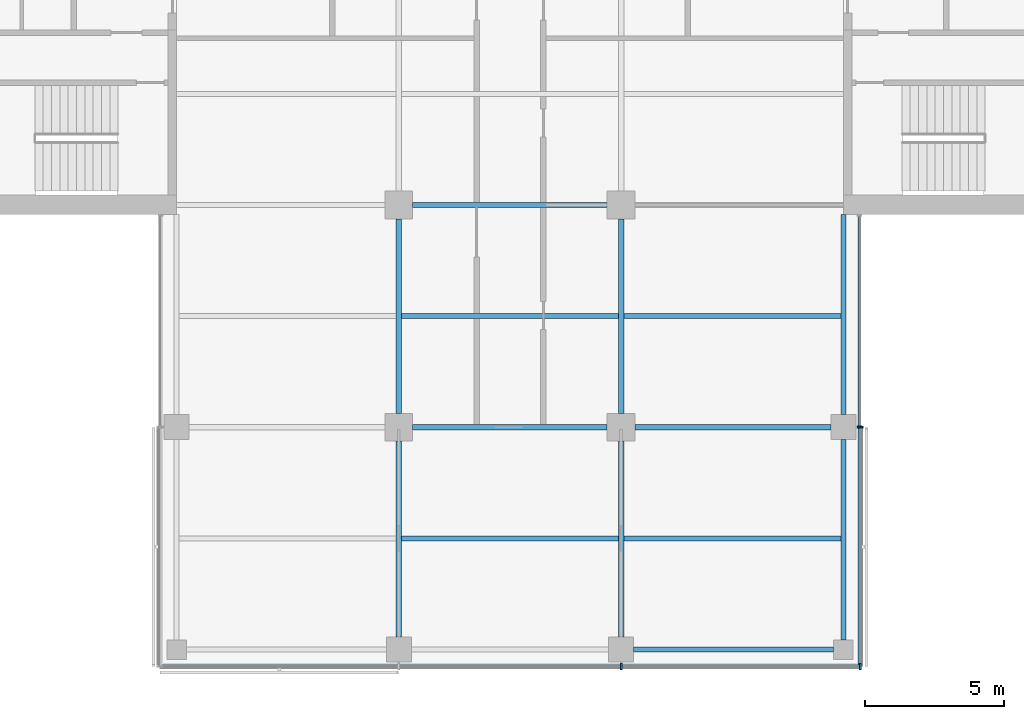
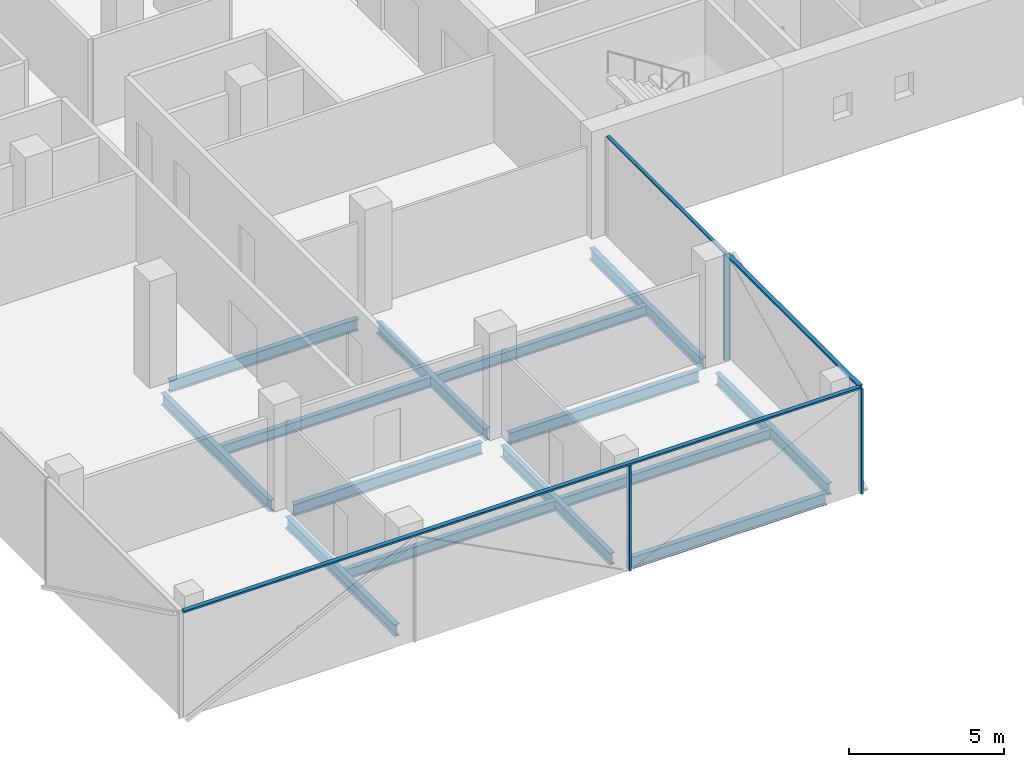
# One storey, part 5 of 22: 14 beams, 7 members, 3 elements without a shape of their own.
"""IFC4 building model written with IfcOpenShell, lengths in metres."""

import ifcopenshell
import ifcopenshell.guid

model = None  # the IFC model being written
_history = None  # IfcOwnerHistory: only IFC2X3 demands one
_inside = {}  # id of a spatial element -> (the spatial element, [elements in it])
_under = {}  # id of a project, library or spatial element -> (it, [spatial elements below it])
_declared = {}  # id of a project -> (the project, [libraries it declares])
_typed = {}  # id of a type object -> (the type object, [elements of that type])
_made_of = {}  # id of a material, layer set ... -> (it, [elements and type objects made of it])


def new_model(schema):
    """Start an empty IFC model of exactly this schema.

    Asked for "IFC4X3", IfcOpenShell would pick the latest addendum, in which some entities
    have other attributes; the version numbers below select the first issue.
    IFC2X3 requires an IfcOwnerHistory on every rooted entity: one is made here for all.
    """
    global model, _history
    if schema == "IFC4X3":
        model = ifcopenshell.file(schema_version=(4, 3, 0, 0))
    else:
        model = ifcopenshell.file(schema=schema)
    _inside.clear()
    _under.clear()
    _declared.clear()
    _typed.clear()
    _made_of.clear()
    _history = None
    if model.schema == "IFC2X3":
        org = make("IfcOrganization", Name="unknown")
        user = make(
            "IfcPersonAndOrganization",
            ThePerson=make("IfcPerson", FamilyName="unknown"),
            TheOrganization=org,
        )
        app = make(
            "IfcApplication",
            ApplicationDeveloper=org,
            Version="unknown",
            ApplicationFullName="unknown",
            ApplicationIdentifier="unknown",
        )
        _history = make(
            "IfcOwnerHistory",
            OwningUser=user,
            OwningApplication=app,
            ChangeAction="ADDED",
            CreationDate=0,
        )
    return model


def make(cls, **values):
    """One entity of the class cls with the attributes given. An attribute that is None is left unset."""
    return model.create_entity(
        cls, **{name: value for name, value in values.items() if value is not None}
    )


def rooted(cls, **values):
    """An entity with a GlobalId (a new one), such as an element, a storey or a relation."""
    return make(cls, GlobalId=ifcopenshell.guid.new(), OwnerHistory=_history, **values)


def si_unit(unit_type, name, prefix=None):
    """IfcSIUnit, for example si_unit("LENGTHUNIT", "METRE", prefix="MILLI")."""
    return make("IfcSIUnit", UnitType=unit_type, Prefix=prefix, Name=name)


def assignment(units):
    """IfcUnitAssignment: the units of a project."""
    return None if units is None else make("IfcUnitAssignment", Units=units)


def point(xyz):
    """IfcCartesianPoint."""
    return None if xyz is None else make("IfcCartesianPoint", Coordinates=xyz)


def direction(xyz):
    """IfcDirection."""
    return None if xyz is None else make("IfcDirection", DirectionRatios=xyz)


def frame(location, z_axis=None, x_axis=None):
    """IfcAxis2Placement3D, a coordinate frame: its origin and axes. An axis left out is left unset."""
    return make(
        "IfcAxis2Placement3D",
        Location=point(location),
        Axis=direction(z_axis),
        RefDirection=direction(x_axis),
    )


def frame_2d(location, x_axis=None):
    """IfcAxis2Placement2D, a coordinate frame in the plane: its origin and x axis."""
    return make(
        "IfcAxis2Placement2D", Location=point(location), RefDirection=direction(x_axis)
    )


def origin():
    """The frame at (0, 0, 0) with its axes left unset."""
    return frame((0.0, 0.0, 0.0))


def origin_2d():
    """The frame at (0, 0) in the plane with its x axis left unset."""
    return frame_2d((0.0, 0.0))


def place(relative_to, where):
    """IfcLocalPlacement: puts the frame where relative to a parent placement (None: the world)."""
    return make(
        "IfcLocalPlacement", PlacementRelTo=relative_to, RelativePlacement=where
    )


def context(
    kind, dimensions, precision=None, world=None, true_north=None, identifier=None
):
    """IfcGeometricRepresentationContext, for example the 3D "Model" context."""
    return make(
        "IfcGeometricRepresentationContext",
        ContextIdentifier=identifier,
        ContextType=kind,
        CoordinateSpaceDimension=dimensions,
        Precision=precision,
        WorldCoordinateSystem=world,
        TrueNorth=true_north,
    )


def subcontext(parent, identifier, kind, view, scale=None):
    """IfcGeometricRepresentationSubContext, for example "Body" below "Model"."""
    return make(
        "IfcGeometricRepresentationSubContext",
        ContextIdentifier=identifier,
        ContextType=kind,
        ParentContext=parent,
        TargetScale=scale,
        TargetView=view,
    )


def project(units=None, contexts=None):
    """IfcProject with its units and contexts."""
    return rooted(
        "IfcProject",
        Name="project",
        RepresentationContexts=contexts,
        UnitsInContext=assignment(units),
    )


def spatial(cls, under=None, at=None, **own):
    """A site, building, storey or space (cls), placed at a placement, below another one or the project."""
    s = rooted(cls, ObjectPlacement=at, **own)
    if under is not None:
        _under.setdefault(under.id(), (under, []))[1].append(s)
    return s


def profile(cls, at=None, kind="AREA", **sizes):
    """A parametric profile (cls). Its sizes go by their IFC names, for example OverallWidth=200.0."""
    return make(cls, ProfileType=kind, Position=at, **sizes)


def rectangle(**sizes):
    """IfcRectangleProfileDef."""
    return profile("IfcRectangleProfileDef", **sizes)


def i_section(**sizes):
    """IfcIShapeProfileDef."""
    return profile("IfcIShapeProfileDef", **sizes)


def extrude(swept, where, along, depth):
    """IfcExtrudedAreaSolid: the profile swept, set in the frame where, extruded along a direction by depth."""
    return make(
        "IfcExtrudedAreaSolid",
        SweptArea=swept,
        Position=where,
        ExtrudedDirection=direction(along),
        Depth=depth,
    )


def shape(context_of_items, identifier, shape_type, items):
    """IfcShapeRepresentation: the items that make up one representation, for example the "Body"."""
    return make(
        "IfcShapeRepresentation",
        ContextOfItems=context_of_items,
        RepresentationIdentifier=identifier,
        RepresentationType=shape_type,
        Items=items,
    )


def material(Name=None, Category=None):
    """IfcMaterial."""
    return make("IfcMaterial", Name=Name, Category=Category)


def material_profile(
    of_material, cross_section, Name=None, Category=None, Priority=None
):
    """IfcMaterialProfile: a cross section and its material."""
    return make(
        "IfcMaterialProfile",
        Name=Name,
        Material=of_material,
        Profile=cross_section,
        Priority=Priority,
        Category=Category,
    )


def profile_set(profiles, Name=None, composite=None):
    """IfcMaterialProfileSet."""
    return make(
        "IfcMaterialProfileSet",
        Name=Name,
        MaterialProfiles=profiles,
        CompositeProfile=composite,
    )


def made_of(thing, what):
    """Note that an element or type object is made of a material, layer set ...; save() writes the relation."""
    if what is not None:
        _made_of.setdefault(what.id(), (what, []))[1].append(thing)
    return thing


def type_object(cls, material=None, **own):
    """A type object (cls), such as IfcWallType, which elements share."""
    return made_of(rooted(cls, **own), material)


def element(
    cls,
    number,
    at=None,
    inside=None,
    cuts=None,
    type_object=None,
    material=None,
    context=None,
    identifier="Body",
    shape_type=None,
    held_by="IfcProductDefinitionShape",
    body=None,
    shapes=None,
    **own,
):
    """One element of the class cls, such as IfcWall. Its Tag is "e" and its number.

    at: its placement. inside: the storey or other place that contains it. cuts: it is an
    opening in that element (IfcRelVoidsElement). A single representation is given by context,
    identifier, shape_type and body (its items); several are given by shapes. held_by: the class
    of the entity that holds the representations. save() writes the other relations.
    """
    e = rooted(cls, Tag="e%d" % number, ObjectPlacement=at, **own)
    if body is not None:
        shapes = [shape(context, identifier, shape_type, body)]
    if shapes is not None:
        e.Representation = make(held_by, Representations=shapes)
    if inside is not None:
        _inside.setdefault(inside.id(), (inside, []))[1].append(e)
    if cuts is not None:
        rooted(
            "IfcRelVoidsElement", RelatingBuildingElement=cuts, RelatedOpeningElement=e
        )
    if type_object is not None:
        _typed.setdefault(type_object.id(), (type_object, []))[1].append(e)
    return made_of(e, material)


def aggregate(whole, parts):
    """IfcRelAggregates: a whole, such as a stair, and the parts it consists of."""
    return rooted("IfcRelAggregates", RelatingObject=whole, RelatedObjects=parts)


def save(model, path):
    """Write the relations noted so far, then the file.

    IfcRelAggregates (storeys below a building ...), IfcRelContainedInSpatialStructure (elements
    in a storey), IfcRelDefinesByType, IfcRelAssociatesMaterial and IfcRelDeclares: one each for
    every whole, place, type object, material and project.
    """
    for whole, parts in _under.values():
        aggregate(whole, parts)
    for where, things in _inside.values():
        rooted(
            "IfcRelContainedInSpatialStructure",
            RelatedElements=things,
            RelatingStructure=where,
        )
    for kind, things in _typed.values():
        rooted("IfcRelDefinesByType", RelatedObjects=things, RelatingType=kind)
    for what, things in _made_of.values():
        rooted("IfcRelAssociatesMaterial", RelatedObjects=things, RelatingMaterial=what)
    for by, libraries in _declared.values():
        rooted("IfcRelDeclares", RelatingContext=by, RelatedDefinitions=libraries)
    model.write(path)


model = new_model("IFC4")

# Units and contexts
model_context = context("Model", 3, precision=1e-05, world=origin(), true_north=direction((0.0, 1.0)))
body_context = subcontext(model_context, "Body", "Model", "MODEL_VIEW")
ifc_project = project(units=[si_unit("LENGTHUNIT", "METRE"), si_unit("AREAUNIT", "SQUARE_METRE"), si_unit("VOLUMEUNIT", "CUBIC_METRE"), si_unit("PLANEANGLEUNIT", "RADIAN"), si_unit("MASSUNIT", "GRAM", prefix="KILO")], contexts=[model_context])

# Site, building, storey
site_placement = place(None, origin())
site = spatial("IfcSite", under=ifc_project, at=site_placement, CompositionType="ELEMENT")
building_placement = place(site_placement, origin())
building = spatial("IfcBuilding", under=site, at=building_placement, Name="Crosswind Convention Tower", CompositionType="ELEMENT")
storey_placement = place(building_placement, frame((0.0, 0.0, 125.300048828125)))
storey = spatial("IfcBuildingStorey", under=building, at=storey_placement, Name="L25", CompositionType="ELEMENT", Elevation=125.300048828125)

# Beams
ifc_material_1 = material(Name="Steel S355", Category="steel")
ifc_material_profile_1 = material_profile(ifc_material_1, i_section(OverallWidth=0.18994140625, OverallDepth=0.45361328125, WebThickness=0.008544921875, FlangeThickness=0.0126953125, FilletRadius=0.01025390625, at=origin_2d()), Name="UB 457x191x67")
ifc_profile_set_1 = profile_set([ifc_material_profile_1], Name="Steel S355")
beam_type_1 = type_object("IfcBeamType", Name="Edge beam UB 457x191x67", PredefinedType="SPANDREL", material=ifc_profile_set_1)
for number, where, z_axis, x_axis, name in (
    (1, (129.449951171875, 72.0, -0.52685546875), (1.0, 0.0, 0.0), (0.0, 1.0, 0.0), "B16 L25 edge beam 14"),
    (2, (137.0, 72.35009765625, -0.52685546875), (0.0, 1.0, 0.0), (-1.0, 0.0, 0.0), "B16 L25 edge beam 16"),
    (3, (137.0, 80.449951171875, -0.52685546875), (0.0, 1.0, 0.0), (-1.0, 0.0, 0.0), "B16 L25 edge beam 17"),
):
    element("IfcBeam", number, at=place(storey_placement, frame(where, z_axis=z_axis, x_axis=x_axis)), inside=storey, type_object=beam_type_1, Name=name, PredefinedType="SPANDREL", context=body_context, shape_type="SweptSolid", body=[
        extrude(i_section(OverallWidth=0.18994140625, OverallDepth=0.45361328125, WebThickness=0.008544921875, FlangeThickness=0.0126953125, FilletRadius=0.01025390625, at=origin_2d()), origin(), (0.0, 0.0, 1.0), 7.199951171875),
    ])
ifc_material_profile_2 = material_profile(ifc_material_1, i_section(OverallWidth=0.19140625, OverallDepth=0.460205078125, WebThickness=0.010009765625, FlangeThickness=0.01611328125, FilletRadius=0.01025390625, at=origin_2d()), Name="UB 457x191x82")
ifc_profile_set_2 = profile_set([ifc_material_profile_2], Name="Steel S355")
beam_type_2 = type_object("IfcBeamType", Name="Girder UB 457x191x82", PredefinedType="BEAM", material=ifc_profile_set_2)
beam_1_placement = place(storey_placement, frame((121.0, 72.449951171875, -0.530029296875), z_axis=(0.0, 1.0, 0.0), x_axis=(-1.0, 0.0, 0.0)))
element("IfcBeam", 4, at=beam_1_placement, inside=storey, type_object=beam_type_2, Name="B3 L25 girder 3", PredefinedType="BEAM", context=body_context, shape_type="SweptSolid", body=[
    extrude(i_section(OverallWidth=0.19140625, OverallDepth=0.460205078125, WebThickness=0.010009765625, FlangeThickness=0.01611328125, FilletRadius=0.01025390625, at=origin_2d()), origin(), (0.0, 0.0, 1.0), 7.050048828125),
])
for number, where, z_axis, x_axis, name in (
    (5, (121.0, 80.5, -0.530029296875), (0.0, 1.0, 0.0), (-1.0, 0.0, 0.0), "B3 L25 girder 4"),
    (6, (121.5, 80.0, -0.530029296875), (1.0, 0.0, 0.0), (0.0, 1.0, 0.0), "B3 L25 girder 10"),
    (7, (121.5, 88.0, -0.530029296875), (1.0, 0.0, 0.0), (0.0, 1.0, 0.0), "B3 L25 girder 11"),
):
    element("IfcBeam", number, at=place(storey_placement, frame(where, z_axis=z_axis, x_axis=x_axis)), inside=storey, type_object=beam_type_2, Name=name, PredefinedType="BEAM", context=body_context, shape_type="SweptSolid", body=[
        extrude(i_section(OverallWidth=0.19140625, OverallDepth=0.460205078125, WebThickness=0.010009765625, FlangeThickness=0.01611328125, FilletRadius=0.01025390625, at=origin_2d()), origin(), (0.0, 0.0, 1.0), 7.0),
    ])
beam_2_placement = place(storey_placement, frame((129.0, 72.449951171875, -0.530029296875), z_axis=(0.0, 1.0, 0.0), x_axis=(-1.0, 0.0, 0.0)))
element("IfcBeam", 8, at=beam_2_placement, inside=storey, type_object=beam_type_2, Name="B3 L25 girder 16", PredefinedType="BEAM", context=body_context, shape_type="SweptSolid", body=[
    extrude(i_section(OverallWidth=0.19140625, OverallDepth=0.460205078125, WebThickness=0.010009765625, FlangeThickness=0.01611328125, FilletRadius=0.01025390625, at=origin_2d()), origin(), (0.0, 0.0, 1.0), 7.050048828125),
])
beam_3_placement = place(storey_placement, frame((129.0, 80.5, -0.530029296875), z_axis=(0.0, 1.0, 0.0), x_axis=(-1.0, 0.0, 0.0)))
element("IfcBeam", 9, at=beam_3_placement, inside=storey, type_object=beam_type_2, Name="B3 L25 girder 17", PredefinedType="BEAM", context=body_context, shape_type="SweptSolid", body=[
    extrude(i_section(OverallWidth=0.19140625, OverallDepth=0.460205078125, WebThickness=0.010009765625, FlangeThickness=0.01611328125, FilletRadius=0.01025390625, at=origin_2d()), origin(), (0.0, 0.0, 1.0), 7.0),
])
beam_4_placement = place(storey_placement, frame((129.5, 80.0, -0.530029296875), z_axis=(1.0, 0.0, 0.0), x_axis=(0.0, 1.0, 0.0)))
element("IfcBeam", 10, at=beam_4_placement, inside=storey, type_object=beam_type_2, Name="B3 L25 girder 23", PredefinedType="BEAM", context=body_context, shape_type="SweptSolid", body=[
    extrude(i_section(OverallWidth=0.19140625, OverallDepth=0.460205078125, WebThickness=0.010009765625, FlangeThickness=0.01611328125, FilletRadius=0.01025390625, at=origin_2d()), origin(), (0.0, 0.0, 1.0), 7.050048828125),
])

# Curtain wall, member
ifc_material_2 = material(Name="Aluminium unitised curtain wall", Category="aluminium")
curtain_wall_type_1 = type_object("IfcCurtainWallType", Name="CORE END SLOT WALL 160", PredefinedType="USERDEFINED", material=ifc_material_2)
curtain_wall_1_placement = place(storey_placement, origin())
curtain_wall_1 = element("IfcCurtainWall", 11, at=curtain_wall_1_placement, inside=storey, type_object=curtain_wall_type_1, Name="CW6 L25 S-E.1-2 slot", ObjectType="UNITISED", PredefinedType="USERDEFINED")
ifc_material_3 = material(Name="Aluminium mullion", Category="aluminium")
ifc_material_profile_3 = material_profile(ifc_material_3, rectangle(XDim=0.159912109375, YDim=0.050048828125, at=origin_2d()), Name="AL 160X50")
ifc_profile_set_3 = profile_set([ifc_material_profile_3], Name="Aluminium mullion")
member_type_1 = type_object("IfcMemberType", Name="MULLION 50X160", PredefinedType="MULLION", material=ifc_profile_set_3)
member_1_placement = place(storey_placement, frame((137.580078125, 80.02490234375, -0.300048828125), z_axis=(0.0, 0.0, 1.0), x_axis=(1.0, 0.0, 0.0)))
member_1 = element("IfcMember", 12, at=member_1_placement, type_object=member_type_1, Name="CW6 mullion 1", PredefinedType="MULLION", context=body_context, shape_type="SweptSolid", body=[
    extrude(rectangle(XDim=0.159912109375, YDim=0.050048828125, at=origin_2d()), origin(), (0.0, 0.0, 1.0), 4.14990234375),
])

# Curtain wall, members
curtain_wall_type_2 = type_object("IfcCurtainWallType", Name="OFFICE UNITISED WALL 220", PredefinedType="USERDEFINED", material=ifc_material_2)
curtain_wall_2_placement = place(storey_placement, origin())
curtain_wall_2 = element("IfcCurtainWall", 13, at=curtain_wall_2_placement, inside=storey, type_object=curtain_wall_type_2, Name="CW3 L25 S-TIP 1", ObjectType="UNITISED", PredefinedType="USERDEFINED")
ifc_material_profile_4 = material_profile(ifc_material_3, rectangle(XDim=0.219970703125, YDim=0.070068359375, at=origin_2d()), Name="AL 220X70")
ifc_profile_set_4 = profile_set([ifc_material_profile_4], Name="Aluminium mullion")
member_type_2 = type_object("IfcMemberType", Name="MULLION 70X220", PredefinedType="MULLION", material=ifc_profile_set_4)
member_2_placement = place(storey_placement, frame((129.0, 71.389892578125, -0.300048828125), z_axis=(0.0, 0.0, 1.0), x_axis=(0.0, -1.0, 0.0)))
member_2 = element("IfcMember", 14, at=member_2_placement, type_object=member_type_2, Name="CW3 mullion 3", PredefinedType="MULLION", context=body_context, shape_type="SweptSolid", body=[
    extrude(rectangle(XDim=0.219970703125, YDim=0.070068359375, at=origin_2d()), origin(), (0.0, 0.0, 1.0), 4.1298828125),
])
member_3_placement = place(storey_placement, frame((137.610107421875, 71.389892578125, -0.300048828125), z_axis=(0.0, 0.0, 1.0), x_axis=(0.0, -1.0, 0.0)))
member_3 = element("IfcMember", 15, at=member_3_placement, type_object=member_type_2, Name="CW3 mullion 4", PredefinedType="MULLION", context=body_context, shape_type="SweptSolid", body=[
    extrude(rectangle(XDim=0.219970703125, YDim=0.070068359375, at=origin_2d()), origin(), (0.0, 0.0, 1.0), 4.1298828125),
])

# Curtain wall, member
curtain_wall_3_placement = place(storey_placement, origin())
curtain_wall_3 = element("IfcCurtainWall", 16, at=curtain_wall_3_placement, inside=storey, type_object=curtain_wall_type_2, Name="CW3 L25 S-E 1", ObjectType="UNITISED", PredefinedType="USERDEFINED")
member_4_placement = place(storey_placement, frame((137.610107421875, 80.0, -0.300048828125), z_axis=(0.0, 0.0, 1.0), x_axis=(1.0, 0.0, 0.0)))
member_4 = element("IfcMember", 17, at=member_4_placement, type_object=member_type_2, Name="CW3 mullion 2", PredefinedType="MULLION", context=body_context, shape_type="SweptSolid", body=[
    extrude(rectangle(XDim=0.219970703125, YDim=0.070068359375, at=origin_2d()), origin(), (0.0, 0.0, 1.0), 4.1298828125),
])

# Beams
ifc_material_profile_5 = material_profile(ifc_material_1, i_section(OverallWidth=0.177734375, OverallDepth=0.406494140625, WebThickness=0.0078125, FlangeThickness=0.0126953125, FilletRadius=0.01025390625, at=origin_2d()), Name="UB 406x178x60")
ifc_profile_set_5 = profile_set([ifc_material_profile_5], Name="Steel S355")
beam_type_3 = type_object("IfcBeamType", Name="Secondary beam UB 406x178x60", PredefinedType="JOIST", material=ifc_profile_set_5)
for number, where, z_axis, x_axis, name in (
    (18, (121.095703125, 76.0, -0.503173828125), (1.0, 0.0, 0.0), (0.0, 1.0, 0.0), "B10 L25 secondary beam 11"),
    (19, (121.095703125, 84.0, -0.503173828125), (1.0, 0.0, 0.0), (0.0, 1.0, 0.0), "B10 L25 secondary beam 12"),
):
    element("IfcBeam", number, at=place(storey_placement, frame(where, z_axis=z_axis, x_axis=x_axis)), inside=storey, type_object=beam_type_3, Name=name, PredefinedType="JOIST", context=body_context, shape_type="SweptSolid", body=[
        extrude(i_section(OverallWidth=0.177734375, OverallDepth=0.406494140625, WebThickness=0.0078125, FlangeThickness=0.0126953125, FilletRadius=0.01025390625, at=origin_2d()), origin(), (0.0, 0.0, 1.0), 7.80859375),
    ])
for number, where, z_axis, x_axis, name in (
    (20, (129.095703125, 76.0, -0.503173828125), (1.0, 0.0, 0.0), (0.0, 1.0, 0.0), "B10 L25 secondary beam 18"),
    (21, (129.095703125, 84.0, -0.503173828125), (1.0, 0.0, 0.0), (0.0, 1.0, 0.0), "B10 L25 secondary beam 19"),
):
    element("IfcBeam", number, at=place(storey_placement, frame(where, z_axis=z_axis, x_axis=x_axis)), inside=storey, type_object=beam_type_3, Name=name, PredefinedType="JOIST", context=body_context, shape_type="SweptSolid", body=[
        extrude(i_section(OverallWidth=0.177734375, OverallDepth=0.406494140625, WebThickness=0.0078125, FlangeThickness=0.0126953125, FilletRadius=0.01025390625, at=origin_2d()), origin(), (0.0, 0.0, 1.0), 7.809326171875),
    ])

# Member
ifc_material_4 = material(Name="Aluminium transom", Category="aluminium")
ifc_material_profile_6 = material_profile(ifc_material_4, rectangle(XDim=0.1201171875, YDim=0.050048828125, at=origin_2d()), Name="AL 120X50")
ifc_profile_set_6 = profile_set([ifc_material_profile_6], Name="Aluminium transom")
member_type_3 = type_object("IfcMemberType", Name="TRANSOM 50X120", PredefinedType="USERDEFINED", material=ifc_profile_set_6)
member_5_placement = place(storey_placement, frame((137.580078125, 80.050048828125, 3.875), z_axis=(0.0, 1.0, 0.0), x_axis=(-1.0, 0.0, 0.0)))
member_5 = element("IfcMember", 22, at=member_5_placement, type_object=member_type_3, Name="CW6 transom", ObjectType="TRANSOM", PredefinedType="USERDEFINED", context=body_context, shape_type="SweptSolid", body=[
    extrude(rectangle(XDim=0.1201171875, YDim=0.050048828125, at=origin_2d()), origin(), (0.0, 0.0, 1.0), 7.550048828125),
])

aggregate(curtain_wall_1, [member_1, member_5])

ifc_material_profile_7 = material_profile(ifc_material_4, rectangle(XDim=0.159912109375, YDim=0.070068359375, at=origin_2d()), Name="AL 160X70")
ifc_profile_set_7 = profile_set([ifc_material_profile_7], Name="Aluminium transom")
member_type_4 = type_object("IfcMemberType", Name="TRANSOM 70X160", PredefinedType="USERDEFINED", material=ifc_profile_set_7)
member_6_placement = place(storey_placement, frame((112.425048828125, 71.389892578125, 3.864990234375), z_axis=(1.0, 0.0, 0.0), x_axis=(0.0, 1.0, 0.0)))
member_6 = element("IfcMember", 23, at=member_6_placement, type_object=member_type_4, Name="CW3 transom", ObjectType="TRANSOM", PredefinedType="USERDEFINED", context=body_context, shape_type="SweptSolid", body=[
    extrude(rectangle(XDim=0.159912109375, YDim=0.070068359375, at=origin_2d()), origin(), (0.0, 0.0, 1.0), 25.14990234375),
])

aggregate(curtain_wall_2, [member_2, member_3, member_6])

member_7_placement = place(storey_placement, frame((137.610107421875, 71.425048828125, 3.864990234375), z_axis=(0.0, 1.0, 0.0), x_axis=(-1.0, 0.0, 0.0)))
member_7 = element("IfcMember", 24, at=member_7_placement, type_object=member_type_4, Name="CW3 transom", ObjectType="TRANSOM", PredefinedType="USERDEFINED", context=body_context, shape_type="SweptSolid", body=[
    extrude(rectangle(XDim=0.159912109375, YDim=0.070068359375, at=origin_2d()), origin(), (0.0, 0.0, 1.0), 8.5400390625),
])

aggregate(curtain_wall_3, [member_4, member_7])

save(model, "model.ifc")
